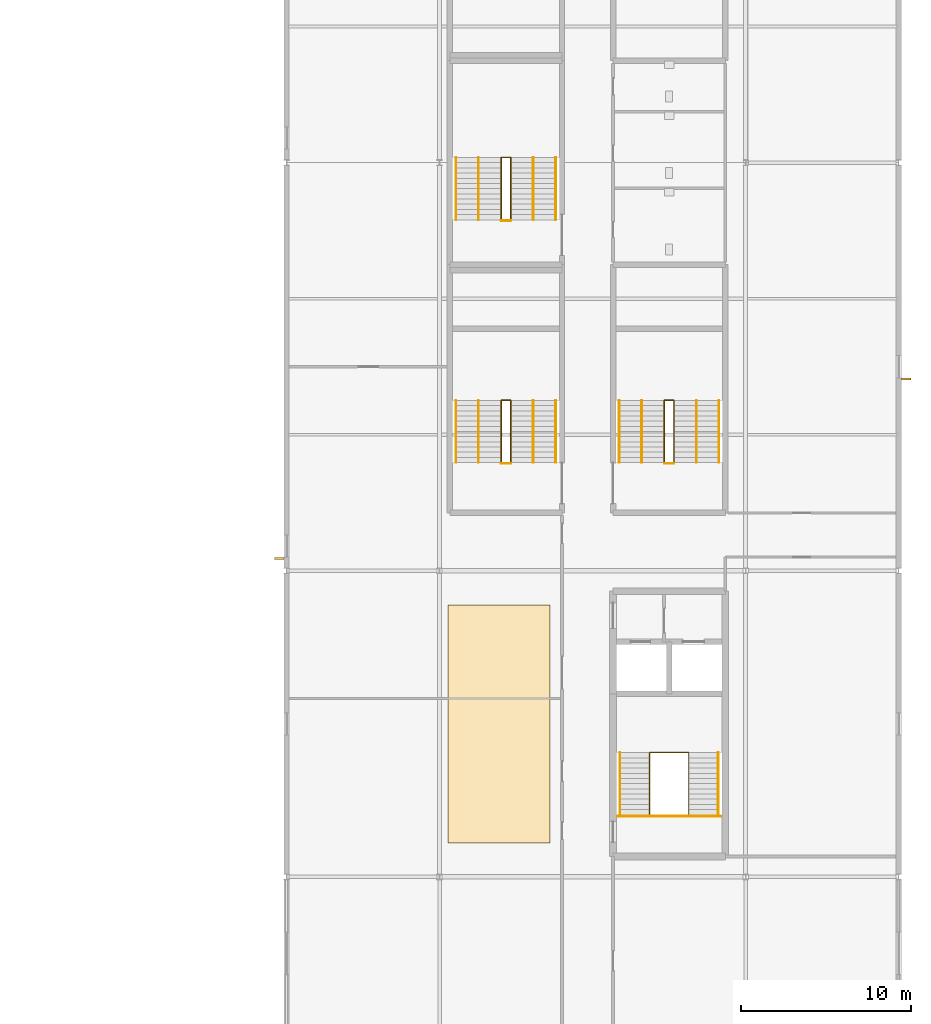
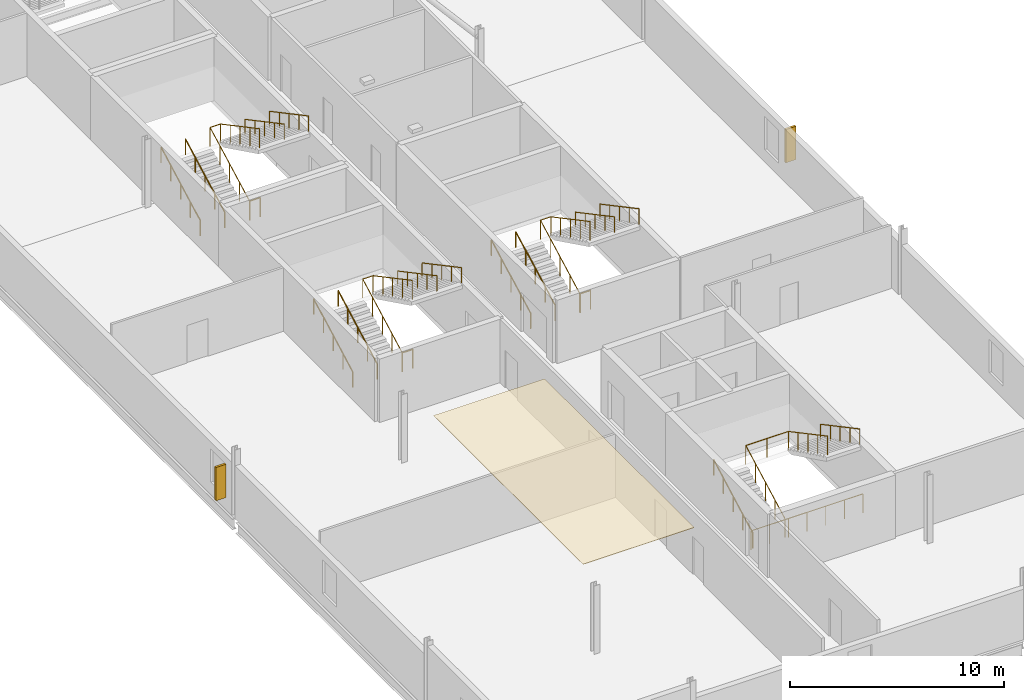
# One storey, part 29 of 31: 22 railings, 2 shading devices, 1 covering.
"""IFC4 building model written with IfcOpenShell, lengths in metres."""

from ifc_helpers import new_model, si_unit, direction, frame, origin, origin_2d, place, context, subcontext, project, spatial, polyline, rectangle, circle, outline, extrude, material, layer, layer_set, type_object, element, save


model = new_model("IFC4")

# Units and contexts
model_context = context("Model", 3, precision=1e-05, world=origin(), true_north=direction((0.0, 1.0)))
body_context = subcontext(model_context, "Body", "Model", "MODEL_VIEW")
ifc_project = project(units=[si_unit("LENGTHUNIT", "METRE"), si_unit("AREAUNIT", "SQUARE_METRE"), si_unit("VOLUMEUNIT", "CUBIC_METRE"), si_unit("PLANEANGLEUNIT", "RADIAN"), si_unit("MASSUNIT", "GRAM", prefix="KILO")], contexts=[model_context])

# Site, building, storey
site_placement = place(None, origin())
site = spatial("IfcSite", under=ifc_project, at=site_placement, CompositionType="ELEMENT")
building_placement = place(site_placement, origin())
building = spatial("IfcBuilding", under=site, at=building_placement, Name="Kisiwana Market Hall", CompositionType="ELEMENT")
storey_placement = place(building_placement, frame((0.0, 0.0, 45.60009765625)))
storey = spatial("IfcBuildingStorey", under=building, at=storey_placement, Name="L10", CompositionType="ELEMENT", Elevation=45.60009765625)

# Covering
ifc_material_1 = material(Name="Mineral-fibre acoustic ceiling board")
ifc_layer = layer(ifc_material_1, 0.02490234375)
ifc_layer_set = layer_set([ifc_layer], Name="COV-CEIL-AC")
covering_type = type_object("IfcCoveringType", Name="COV-CEIL-AC", PredefinedType="CEILING", material=ifc_layer_set)
covering_placement = place(storey_placement, frame((0.0, 0.0, 3.594970703125)))
element("IfcCovering", 1, at=covering_placement, inside=storey, type_object=covering_type, Name="Acoustic ceiling grid L10-026", PredefinedType="CEILING", context=body_context, shape_type="SweptSolid", body=[
    extrude(outline(polyline([(171.5, 20.0), (177.5, 20.0), (177.5, 34.0), (171.5, 34.0), (171.5, 20.0)])), origin(), (0.0, 0.0, 1.0), 0.02490234375),
])

# Railings
ifc_material_2 = material(Name="Steel S275", Category="steel")
railing_type_1 = type_object("IfcRailingType", Name="RL-GUARD-1100", PredefinedType="GUARDRAIL", material=ifc_material_2)
railing_1_placement = place(storey_placement, frame((183.35009765625, 21.6494140625, 0.0)))
element("IfcRailing", 2, at=railing_1_placement, inside=storey, type_object=railing_type_1, Name="Stair ST-E2-L10 inner-well guardrail (RL-1291)", PredefinedType="GUARDRAIL", context=body_context, shape_type="SweptSolid", body=[
    extrude(circle(Radius=0.02392578125, at=origin_2d()), frame((0.0, 0.0, 1.076171875), z_axis=(0.0, 0.882566327451, 0.470187917379), x_axis=(-1.0, 0.0, 0.0)), (0.0, 0.0, 1.0), 4.147216796875),
    extrude(circle(Radius=0.02392578125, at=origin_2d()), frame((0.0, 3.66015625, 3.02587890625), z_axis=(1.0, 0.0, 0.0), x_axis=(0.0, 1.0, 0.0)), (0.0, 0.0, 1.0), 2.2998046875),
    extrude(circle(Radius=0.02392578125, at=origin_2d()), frame((2.2998046875, 3.66015625, 3.02587890625), z_axis=(0.0, -0.882566327451, 0.470187917379), x_axis=(1.0, 0.0, 0.0)), (0.0, 0.0, 1.0), 4.147216796875),
    extrude(circle(Radius=0.02099609375, at=origin_2d()), origin(), (0.0, 0.0, 1.0), 1.052001953125),
    extrude(circle(Radius=0.02099609375, at=origin_2d()), frame((0.0, 0.9150390625, 0.487548828125)), (0.0, 0.0, 1.0), 1.052001953125),
    extrude(circle(Radius=0.02099609375, at=origin_2d()), frame((0.0, 1.830078125, 0.97509765625)), (0.0, 0.0, 1.0), 1.052001953125),
    extrude(circle(Radius=0.02099609375, at=origin_2d()), frame((0.0, 2.7451171875, 1.46240234375)), (0.0, 0.0, 1.0), 1.052001953125),
    extrude(circle(Radius=0.02099609375, at=origin_2d()), frame((0.0, 3.66015625, 1.949951171875)), (0.0, 0.0, 1.0), 1.052001953125),
    extrude(circle(Radius=0.02099609375, at=origin_2d()), frame((1.14990234375, 3.66015625, 1.949951171875)), (0.0, 0.0, 1.0), 1.052001953125),
    extrude(circle(Radius=0.02099609375, at=origin_2d()), frame((2.2998046875, 3.66015625, 1.949951171875)), (0.0, 0.0, 1.0), 1.052001953125),
    extrude(circle(Radius=0.02099609375, at=origin_2d()), frame((2.2998046875, 2.7451171875, 2.4375)), (0.0, 0.0, 1.0), 1.052001953125),
    extrude(circle(Radius=0.02099609375, at=origin_2d()), frame((2.2998046875, 1.830078125, 2.9248046875)), (0.0, 0.0, 1.0), 1.052001953125),
    extrude(circle(Radius=0.02099609375, at=origin_2d()), frame((2.2998046875, 0.9150390625, 3.412353515625)), (0.0, 0.0, 1.0), 1.052001953125),
    extrude(circle(Radius=0.02099609375, at=origin_2d()), frame((2.2998046875, 0.0, 3.89990234375)), (0.0, 0.0, 1.0), 1.052001953125),
])
railing_2_placement = place(storey_placement, frame((181.47998046875, 21.569580078125, 0.0)))
element("IfcRailing", 3, at=railing_2_placement, inside=storey, type_object=railing_type_1, Name="Stair ST-E2-L10 landing edge guardrail (RL-1294)", PredefinedType="GUARDRAIL", context=body_context, shape_type="SweptSolid", body=[
    extrude(circle(Radius=0.02392578125, at=origin_2d()), frame((0.0, 0.0, 1.076171875), z_axis=(1.0, 0.0, 0.0), x_axis=(0.0, 1.0, 0.0)), (0.0, 0.0, 1.0), 6.0400390625),
    extrude(circle(Radius=0.02099609375, at=origin_2d()), origin(), (0.0, 0.0, 1.0), 1.052001953125),
    extrude(circle(Radius=0.02099609375, at=origin_2d()), frame((1.006591796875, 0.0, 0.0)), (0.0, 0.0, 1.0), 1.052001953125),
    extrude(circle(Radius=0.02099609375, at=origin_2d()), frame((2.013427734375, 0.0, 0.0)), (0.0, 0.0, 1.0), 1.052001953125),
    extrude(circle(Radius=0.02099609375, at=origin_2d()), frame((3.02001953125, 0.0, 0.0)), (0.0, 0.0, 1.0), 1.052001953125),
    extrude(circle(Radius=0.02099609375, at=origin_2d()), frame((4.026611328125, 0.0, 0.0)), (0.0, 0.0, 1.0), 1.052001953125),
    extrude(circle(Radius=0.02099609375, at=origin_2d()), frame((5.033447265625, 0.0, 0.0)), (0.0, 0.0, 1.0), 1.052001953125),
    extrude(circle(Radius=0.02099609375, at=origin_2d()), frame((6.0400390625, 0.0, 0.0)), (0.0, 0.0, 1.0), 1.052001953125),
])
railing_3_placement = place(storey_placement, frame((184.219970703125, 42.360107421875, 0.0)))
element("IfcRailing", 4, at=railing_3_placement, inside=storey, type_object=railing_type_1, Name="Stair ST-E3-L10 inner-well guardrail (RL-1311)", PredefinedType="GUARDRAIL", context=body_context, shape_type="SweptSolid", body=[
    extrude(circle(Radius=0.02392578125, at=origin_2d()), frame((0.0, 0.0, 1.076171875), z_axis=(0.0, 0.88255331184, 0.47021234752), x_axis=(-1.0, 0.0, 0.0)), (0.0, 0.0, 1.0), 4.14697265625),
    extrude(circle(Radius=0.02392578125, at=origin_2d()), frame((0.0, 3.659912109375, 3.02587890625), z_axis=(1.0, 0.0, 0.0), x_axis=(0.0, 1.0, 0.0)), (0.0, 0.0, 1.0), 0.56005859375),
    extrude(circle(Radius=0.02392578125, at=origin_2d()), frame((0.56005859375, 3.659912109375, 3.02587890625), z_axis=(0.0, -0.88255331184, 0.47021234752), x_axis=(1.0, 0.0, 0.0)), (0.0, 0.0, 1.0), 4.14697265625),
    extrude(circle(Radius=0.02099609375, at=origin_2d()), origin(), (0.0, 0.0, 1.0), 1.052001953125),
    extrude(circle(Radius=0.02099609375, at=origin_2d()), frame((0.0, 0.9150390625, 0.487548828125)), (0.0, 0.0, 1.0), 1.052001953125),
    extrude(circle(Radius=0.02099609375, at=origin_2d()), frame((0.0, 1.830078125, 0.97509765625)), (0.0, 0.0, 1.0), 1.052001953125),
    extrude(circle(Radius=0.02099609375, at=origin_2d()), frame((0.0, 2.744873046875, 1.46240234375)), (0.0, 0.0, 1.0), 1.052001953125),
    extrude(circle(Radius=0.02099609375, at=origin_2d()), frame((0.0, 3.659912109375, 1.949951171875)), (0.0, 0.0, 1.0), 1.052001953125),
    extrude(circle(Radius=0.02099609375, at=origin_2d()), frame((0.56005859375, 3.659912109375, 1.949951171875)), (0.0, 0.0, 1.0), 1.052001953125),
    extrude(circle(Radius=0.02099609375, at=origin_2d()), frame((0.56005859375, 2.744873046875, 2.4375)), (0.0, 0.0, 1.0), 1.052001953125),
    extrude(circle(Radius=0.02099609375, at=origin_2d()), frame((0.56005859375, 1.830078125, 2.9248046875)), (0.0, 0.0, 1.0), 1.052001953125),
    extrude(circle(Radius=0.02099609375, at=origin_2d()), frame((0.56005859375, 0.9150390625, 3.412353515625)), (0.0, 0.0, 1.0), 1.052001953125),
    extrude(circle(Radius=0.02099609375, at=origin_2d()), frame((0.56005859375, 0.0, 3.89990234375)), (0.0, 0.0, 1.0), 1.052001953125),
])
railing_4_placement = place(storey_placement, frame((184.219970703125, 42.31005859375, 0.0)))
element("IfcRailing", 5, at=railing_4_placement, inside=storey, type_object=railing_type_1, Name="Stair ST-E3-L10 landing edge guardrail (RL-1316)", PredefinedType="GUARDRAIL", context=body_context, shape_type="SweptSolid", body=[
    extrude(circle(Radius=0.02392578125, at=origin_2d()), frame((0.0, 0.0, 1.076171875), z_axis=(1.0, 0.0, 0.0), x_axis=(0.0, 1.0, 0.0)), (0.0, 0.0, 1.0), 0.56005859375),
    extrude(circle(Radius=0.02099609375, at=origin_2d()), origin(), (0.0, 0.0, 1.0), 1.052001953125),
    extrude(circle(Radius=0.02099609375, at=origin_2d()), frame((0.56005859375, 0.0, 0.0)), (0.0, 0.0, 1.0), 1.052001953125),
])
railing_5_placement = place(storey_placement, frame((174.6201171875, 42.360107421875, 0.0)))
element("IfcRailing", 6, at=railing_5_placement, inside=storey, type_object=railing_type_1, Name="Stair ST-E7-L10 inner-well guardrail (RL-1329)", PredefinedType="GUARDRAIL", context=body_context, shape_type="SweptSolid", body=[
    extrude(circle(Radius=0.02392578125, at=origin_2d()), frame((0.0, 0.0, 1.076171875), z_axis=(0.0, 0.88255331184, 0.47021234752), x_axis=(-1.0, 0.0, 0.0)), (0.0, 0.0, 1.0), 4.14697265625),
    extrude(circle(Radius=0.02392578125, at=origin_2d()), frame((0.0, 3.659912109375, 3.02587890625), z_axis=(1.0, 0.0, 0.0), x_axis=(0.0, 1.0, 0.0)), (0.0, 0.0, 1.0), 0.559814453125),
    extrude(circle(Radius=0.02392578125, at=origin_2d()), frame((0.559814453125, 3.659912109375, 3.02587890625), z_axis=(0.0, -0.88255331184, 0.47021234752), x_axis=(1.0, 0.0, 0.0)), (0.0, 0.0, 1.0), 4.14697265625),
    extrude(circle(Radius=0.02099609375, at=origin_2d()), origin(), (0.0, 0.0, 1.0), 1.052001953125),
    extrude(circle(Radius=0.02099609375, at=origin_2d()), frame((0.0, 0.9150390625, 0.487548828125)), (0.0, 0.0, 1.0), 1.052001953125),
    extrude(circle(Radius=0.02099609375, at=origin_2d()), frame((0.0, 1.830078125, 0.97509765625)), (0.0, 0.0, 1.0), 1.052001953125),
    extrude(circle(Radius=0.02099609375, at=origin_2d()), frame((0.0, 2.744873046875, 1.46240234375)), (0.0, 0.0, 1.0), 1.052001953125),
    extrude(circle(Radius=0.02099609375, at=origin_2d()), frame((0.0, 3.659912109375, 1.949951171875)), (0.0, 0.0, 1.0), 1.052001953125),
    extrude(circle(Radius=0.02099609375, at=origin_2d()), frame((0.559814453125, 3.659912109375, 1.949951171875)), (0.0, 0.0, 1.0), 1.052001953125),
    extrude(circle(Radius=0.02099609375, at=origin_2d()), frame((0.559814453125, 2.744873046875, 2.4375)), (0.0, 0.0, 1.0), 1.052001953125),
    extrude(circle(Radius=0.02099609375, at=origin_2d()), frame((0.559814453125, 1.830078125, 2.9248046875)), (0.0, 0.0, 1.0), 1.052001953125),
    extrude(circle(Radius=0.02099609375, at=origin_2d()), frame((0.559814453125, 0.9150390625, 3.412353515625)), (0.0, 0.0, 1.0), 1.052001953125),
    extrude(circle(Radius=0.02099609375, at=origin_2d()), frame((0.559814453125, 0.0, 3.89990234375)), (0.0, 0.0, 1.0), 1.052001953125),
])
railing_6_placement = place(storey_placement, frame((174.6201171875, 42.31005859375, 0.0)))
element("IfcRailing", 7, at=railing_6_placement, inside=storey, type_object=railing_type_1, Name="Stair ST-E7-L10 landing edge guardrail (RL-1334)", PredefinedType="GUARDRAIL", context=body_context, shape_type="SweptSolid", body=[
    extrude(circle(Radius=0.02392578125, at=origin_2d()), frame((0.0, 0.0, 1.076171875), z_axis=(1.0, 0.0, 0.0), x_axis=(0.0, 1.0, 0.0)), (0.0, 0.0, 1.0), 0.559814453125),
    extrude(circle(Radius=0.02099609375, at=origin_2d()), origin(), (0.0, 0.0, 1.0), 1.052001953125),
    extrude(circle(Radius=0.02099609375, at=origin_2d()), frame((0.559814453125, 0.0, 0.0)), (0.0, 0.0, 1.0), 1.052001953125),
])
railing_7_placement = place(storey_placement, frame((174.6201171875, 56.639892578125, 0.0)))
element("IfcRailing", 8, at=railing_7_placement, inside=storey, type_object=railing_type_1, Name="Stair ST-E5-L10 inner-well guardrail (RL-1353)", PredefinedType="GUARDRAIL", context=body_context, shape_type="SweptSolid", body=[
    extrude(circle(Radius=0.02392578125, at=origin_2d()), frame((0.0, 0.0, 1.076171875), z_axis=(0.0, 0.882566327451, 0.470187917379), x_axis=(-1.0, 0.0, 0.0)), (0.0, 0.0, 1.0), 4.147216796875),
    extrude(circle(Radius=0.02392578125, at=origin_2d()), frame((0.0, 3.66015625, 3.02587890625), z_axis=(1.0, 0.0, 0.0), x_axis=(0.0, 1.0, 0.0)), (0.0, 0.0, 1.0), 0.559814453125),
    extrude(circle(Radius=0.02392578125, at=origin_2d()), frame((0.559814453125, 3.66015625, 3.02587890625), z_axis=(0.0, -0.882566327451, 0.470187917379), x_axis=(1.0, 0.0, 0.0)), (0.0, 0.0, 1.0), 4.147216796875),
    extrude(circle(Radius=0.02099609375, at=origin_2d()), origin(), (0.0, 0.0, 1.0), 1.052001953125),
    extrude(circle(Radius=0.02099609375, at=origin_2d()), frame((0.0, 0.9150390625, 0.487548828125)), (0.0, 0.0, 1.0), 1.052001953125),
    extrude(circle(Radius=0.02099609375, at=origin_2d()), frame((0.0, 1.830078125, 0.97509765625)), (0.0, 0.0, 1.0), 1.052001953125),
    extrude(circle(Radius=0.02099609375, at=origin_2d()), frame((0.0, 2.7451171875, 1.46240234375)), (0.0, 0.0, 1.0), 1.052001953125),
    extrude(circle(Radius=0.02099609375, at=origin_2d()), frame((0.0, 3.66015625, 1.949951171875)), (0.0, 0.0, 1.0), 1.052001953125),
    extrude(circle(Radius=0.02099609375, at=origin_2d()), frame((0.559814453125, 3.66015625, 1.949951171875)), (0.0, 0.0, 1.0), 1.052001953125),
    extrude(circle(Radius=0.02099609375, at=origin_2d()), frame((0.559814453125, 2.7451171875, 2.4375)), (0.0, 0.0, 1.0), 1.052001953125),
    extrude(circle(Radius=0.02099609375, at=origin_2d()), frame((0.559814453125, 1.830078125, 2.9248046875)), (0.0, 0.0, 1.0), 1.052001953125),
    extrude(circle(Radius=0.02099609375, at=origin_2d()), frame((0.559814453125, 0.9150390625, 3.412353515625)), (0.0, 0.0, 1.0), 1.052001953125),
    extrude(circle(Radius=0.02099609375, at=origin_2d()), frame((0.559814453125, 0.0, 3.89990234375)), (0.0, 0.0, 1.0), 1.052001953125),
])
railing_8_placement = place(storey_placement, frame((174.6201171875, 56.590087890625, 0.0)))
element("IfcRailing", 9, at=railing_8_placement, inside=storey, type_object=railing_type_1, Name="Stair ST-E5-L10 landing edge guardrail (RL-1358)", PredefinedType="GUARDRAIL", context=body_context, shape_type="SweptSolid", body=[
    extrude(circle(Radius=0.02392578125, at=origin_2d()), frame((0.0, 0.0, 1.076171875), z_axis=(1.0, 0.0, 0.0), x_axis=(0.0, 1.0, 0.0)), (0.0, 0.0, 1.0), 0.559814453125),
    extrude(circle(Radius=0.02099609375, at=origin_2d()), origin(), (0.0, 0.0, 1.0), 1.052001953125),
    extrude(circle(Radius=0.02099609375, at=origin_2d()), frame((0.559814453125, 0.0, 0.0)), (0.0, 0.0, 1.0), 1.052001953125),
])
ifc_material_3 = material(Name="Steel S275", Category="steel")
railing_type_2 = type_object("IfcRailingType", Name="RL-HAND-900", PredefinedType="HANDRAIL", material=ifc_material_3)
railing_9_placement = place(storey_placement, frame((181.610107421875, 21.6494140625, 0.0)))
element("IfcRailing", 10, at=railing_9_placement, inside=storey, type_object=railing_type_2, Name="Stair ST-E2-L10 flight 1 handrail (RL-1292)", PredefinedType="HANDRAIL", context=body_context, shape_type="SweptSolid", body=[
    extrude(circle(Radius=0.02392578125, at=origin_2d()), frame((0.0, 0.0, 0.8759765625), z_axis=(0.0, 0.882566327451, 0.470187917379), x_axis=(-1.0, 0.0, 0.0)), (0.0, 0.0, 1.0), 4.147216796875),
    extrude(circle(Radius=0.02099609375, at=origin_2d()), origin(), (0.0, 0.0, 1.0), 0.851806640625),
    extrude(circle(Radius=0.02099609375, at=origin_2d()), frame((0.0, 0.9150390625, 0.487548828125)), (0.0, 0.0, 1.0), 0.851806640625),
    extrude(circle(Radius=0.02099609375, at=origin_2d()), frame((0.0, 1.830078125, 0.97509765625)), (0.0, 0.0, 1.0), 0.851806640625),
    extrude(circle(Radius=0.02099609375, at=origin_2d()), frame((0.0, 2.7451171875, 1.46240234375)), (0.0, 0.0, 1.0), 0.851806640625),
    extrude(circle(Radius=0.02099609375, at=origin_2d()), frame((0.0, 3.66015625, 1.949951171875)), (0.0, 0.0, 1.0), 0.851806640625),
])
railing_10_placement = place(storey_placement, frame((187.389892578125, 25.3095703125, 1.949951171875)))
element("IfcRailing", 11, at=railing_10_placement, inside=storey, type_object=railing_type_2, Name="Stair ST-E2-L10 flight 2 handrail (RL-1293)", PredefinedType="HANDRAIL", context=body_context, shape_type="SweptSolid", body=[
    extrude(circle(Radius=0.02392578125, at=origin_2d()), frame((0.0, 0.0, 0.8759765625), z_axis=(0.0, -0.882566327451, 0.470187917379), x_axis=(1.0, 0.0, 0.0)), (0.0, 0.0, 1.0), 4.147216796875),
    extrude(circle(Radius=0.02099609375, at=origin_2d()), origin(), (0.0, 0.0, 1.0), 0.851806640625),
    extrude(circle(Radius=0.02099609375, at=origin_2d()), frame((0.0, -0.9150390625, 0.487548828125)), (0.0, 0.0, 1.0), 0.851806640625),
    extrude(circle(Radius=0.02099609375, at=origin_2d()), frame((0.0, -1.830078125, 0.97509765625)), (0.0, 0.0, 1.0), 0.851806640625),
    extrude(circle(Radius=0.02099609375, at=origin_2d()), frame((0.0, -2.7451171875, 1.46240234375)), (0.0, 0.0, 1.0), 0.851806640625),
    extrude(circle(Radius=0.02099609375, at=origin_2d()), frame((0.0, -3.66015625, 1.949951171875)), (0.0, 0.0, 1.0), 0.851806640625),
])
railing_11_placement = place(storey_placement, frame((181.570068359375, 42.360107421875, 0.0)))
element("IfcRailing", 12, at=railing_11_placement, inside=storey, type_object=railing_type_2, Name="Stair ST-E3-L10 flight 1 handrail (RL-1312)", PredefinedType="HANDRAIL", context=body_context, shape_type="SweptSolid", body=[
    extrude(circle(Radius=0.02392578125, at=origin_2d()), frame((0.0, 0.0, 0.8759765625), z_axis=(0.0, 0.88255331184, 0.47021234752), x_axis=(-1.0, 0.0, 0.0)), (0.0, 0.0, 1.0), 4.14697265625),
    extrude(circle(Radius=0.02099609375, at=origin_2d()), origin(), (0.0, 0.0, 1.0), 0.851806640625),
    extrude(circle(Radius=0.02099609375, at=origin_2d()), frame((0.0, 0.9150390625, 0.487548828125)), (0.0, 0.0, 1.0), 0.851806640625),
    extrude(circle(Radius=0.02099609375, at=origin_2d()), frame((0.0, 1.830078125, 0.97509765625)), (0.0, 0.0, 1.0), 0.851806640625),
    extrude(circle(Radius=0.02099609375, at=origin_2d()), frame((0.0, 2.744873046875, 1.46240234375)), (0.0, 0.0, 1.0), 0.851806640625),
    extrude(circle(Radius=0.02099609375, at=origin_2d()), frame((0.0, 3.659912109375, 1.949951171875)), (0.0, 0.0, 1.0), 0.851806640625),
])
railing_12_placement = place(storey_placement, frame((187.429931640625, 46.02001953125, 1.949951171875)))
element("IfcRailing", 13, at=railing_12_placement, inside=storey, type_object=railing_type_2, Name="Stair ST-E3-L10 flight 2 handrail (RL-1313)", PredefinedType="HANDRAIL", context=body_context, shape_type="SweptSolid", body=[
    extrude(circle(Radius=0.02392578125, at=origin_2d()), frame((0.0, 0.0, 0.8759765625), z_axis=(0.0, -0.88255331184, 0.47021234752), x_axis=(1.0, 0.0, 0.0)), (0.0, 0.0, 1.0), 4.14697265625),
    extrude(circle(Radius=0.02099609375, at=origin_2d()), origin(), (0.0, 0.0, 1.0), 0.851806640625),
    extrude(circle(Radius=0.02099609375, at=origin_2d()), frame((0.0, -0.9150390625, 0.487548828125)), (0.0, 0.0, 1.0), 0.851806640625),
    extrude(circle(Radius=0.02099609375, at=origin_2d()), frame((0.0, -1.830078125, 0.97509765625)), (0.0, 0.0, 1.0), 0.851806640625),
    extrude(circle(Radius=0.02099609375, at=origin_2d()), frame((0.0, -2.744873046875, 1.46240234375)), (0.0, 0.0, 1.0), 0.851806640625),
    extrude(circle(Radius=0.02099609375, at=origin_2d()), frame((0.0, -3.659912109375, 1.949951171875)), (0.0, 0.0, 1.0), 0.851806640625),
])
railing_13_placement = place(storey_placement, frame((182.889892578125, 42.360107421875, 0.0)))
element("IfcRailing", 14, at=railing_13_placement, inside=storey, type_object=railing_type_2, Name="Stair ST-E3-L10 flight 1 intermediate handrail (RL-1314)", PredefinedType="HANDRAIL", context=body_context, shape_type="SweptSolid", body=[
    extrude(circle(Radius=0.02392578125, at=origin_2d()), frame((0.0, 0.0, 0.8759765625), z_axis=(0.0, 0.88255331184, 0.47021234752), x_axis=(-1.0, 0.0, 0.0)), (0.0, 0.0, 1.0), 4.14697265625),
    extrude(circle(Radius=0.02099609375, at=origin_2d()), origin(), (0.0, 0.0, 1.0), 0.851806640625),
    extrude(circle(Radius=0.02099609375, at=origin_2d()), frame((0.0, 0.9150390625, 0.487548828125)), (0.0, 0.0, 1.0), 0.851806640625),
    extrude(circle(Radius=0.02099609375, at=origin_2d()), frame((0.0, 1.830078125, 0.97509765625)), (0.0, 0.0, 1.0), 0.851806640625),
    extrude(circle(Radius=0.02099609375, at=origin_2d()), frame((0.0, 2.744873046875, 1.46240234375)), (0.0, 0.0, 1.0), 0.851806640625),
    extrude(circle(Radius=0.02099609375, at=origin_2d()), frame((0.0, 3.659912109375, 1.949951171875)), (0.0, 0.0, 1.0), 0.851806640625),
])
railing_14_placement = place(storey_placement, frame((186.110107421875, 46.02001953125, 1.949951171875)))
element("IfcRailing", 15, at=railing_14_placement, inside=storey, type_object=railing_type_2, Name="Stair ST-E3-L10 flight 2 intermediate handrail (RL-1315)", PredefinedType="HANDRAIL", context=body_context, shape_type="SweptSolid", body=[
    extrude(circle(Radius=0.02392578125, at=origin_2d()), frame((0.0, 0.0, 0.8759765625), z_axis=(0.0, -0.88255331184, 0.47021234752), x_axis=(1.0, 0.0, 0.0)), (0.0, 0.0, 1.0), 4.14697265625),
    extrude(circle(Radius=0.02099609375, at=origin_2d()), origin(), (0.0, 0.0, 1.0), 0.851806640625),
    extrude(circle(Radius=0.02099609375, at=origin_2d()), frame((0.0, -0.9150390625, 0.487548828125)), (0.0, 0.0, 1.0), 0.851806640625),
    extrude(circle(Radius=0.02099609375, at=origin_2d()), frame((0.0, -1.830078125, 0.97509765625)), (0.0, 0.0, 1.0), 0.851806640625),
    extrude(circle(Radius=0.02099609375, at=origin_2d()), frame((0.0, -2.744873046875, 1.46240234375)), (0.0, 0.0, 1.0), 0.851806640625),
    extrude(circle(Radius=0.02099609375, at=origin_2d()), frame((0.0, -3.659912109375, 1.949951171875)), (0.0, 0.0, 1.0), 0.851806640625),
])
railing_15_placement = place(storey_placement, frame((171.969970703125, 42.360107421875, 0.0)))
element("IfcRailing", 16, at=railing_15_placement, inside=storey, type_object=railing_type_2, Name="Stair ST-E7-L10 flight 1 handrail (RL-1330)", PredefinedType="HANDRAIL", context=body_context, shape_type="SweptSolid", body=[
    extrude(circle(Radius=0.02392578125, at=origin_2d()), frame((0.0, 0.0, 0.8759765625), z_axis=(0.0, 0.88255331184, 0.47021234752), x_axis=(-1.0, 0.0, 0.0)), (0.0, 0.0, 1.0), 4.14697265625),
    extrude(circle(Radius=0.02099609375, at=origin_2d()), origin(), (0.0, 0.0, 1.0), 0.851806640625),
    extrude(circle(Radius=0.02099609375, at=origin_2d()), frame((0.0, 0.9150390625, 0.487548828125)), (0.0, 0.0, 1.0), 0.851806640625),
    extrude(circle(Radius=0.02099609375, at=origin_2d()), frame((0.0, 1.830078125, 0.97509765625)), (0.0, 0.0, 1.0), 0.851806640625),
    extrude(circle(Radius=0.02099609375, at=origin_2d()), frame((0.0, 2.744873046875, 1.46240234375)), (0.0, 0.0, 1.0), 0.851806640625),
    extrude(circle(Radius=0.02099609375, at=origin_2d()), frame((0.0, 3.659912109375, 1.949951171875)), (0.0, 0.0, 1.0), 0.851806640625),
])
railing_16_placement = place(storey_placement, frame((177.830078125, 46.02001953125, 1.949951171875)))
element("IfcRailing", 17, at=railing_16_placement, inside=storey, type_object=railing_type_2, Name="Stair ST-E7-L10 flight 2 handrail (RL-1331)", PredefinedType="HANDRAIL", context=body_context, shape_type="SweptSolid", body=[
    extrude(circle(Radius=0.02392578125, at=origin_2d()), frame((0.0, 0.0, 0.8759765625), z_axis=(0.0, -0.88255331184, 0.47021234752), x_axis=(1.0, 0.0, 0.0)), (0.0, 0.0, 1.0), 4.14697265625),
    extrude(circle(Radius=0.02099609375, at=origin_2d()), origin(), (0.0, 0.0, 1.0), 0.851806640625),
    extrude(circle(Radius=0.02099609375, at=origin_2d()), frame((0.0, -0.9150390625, 0.487548828125)), (0.0, 0.0, 1.0), 0.851806640625),
    extrude(circle(Radius=0.02099609375, at=origin_2d()), frame((0.0, -1.830078125, 0.97509765625)), (0.0, 0.0, 1.0), 0.851806640625),
    extrude(circle(Radius=0.02099609375, at=origin_2d()), frame((0.0, -2.744873046875, 1.46240234375)), (0.0, 0.0, 1.0), 0.851806640625),
    extrude(circle(Radius=0.02099609375, at=origin_2d()), frame((0.0, -3.659912109375, 1.949951171875)), (0.0, 0.0, 1.0), 0.851806640625),
])
railing_17_placement = place(storey_placement, frame((173.2900390625, 42.360107421875, 0.0)))
element("IfcRailing", 18, at=railing_17_placement, inside=storey, type_object=railing_type_2, Name="Stair ST-E7-L10 flight 1 intermediate handrail (RL-1332)", PredefinedType="HANDRAIL", context=body_context, shape_type="SweptSolid", body=[
    extrude(circle(Radius=0.02392578125, at=origin_2d()), frame((0.0, 0.0, 0.8759765625), z_axis=(0.0, 0.88255331184, 0.47021234752), x_axis=(-1.0, 0.0, 0.0)), (0.0, 0.0, 1.0), 4.14697265625),
    extrude(circle(Radius=0.02099609375, at=origin_2d()), origin(), (0.0, 0.0, 1.0), 0.851806640625),
    extrude(circle(Radius=0.02099609375, at=origin_2d()), frame((0.0, 0.9150390625, 0.487548828125)), (0.0, 0.0, 1.0), 0.851806640625),
    extrude(circle(Radius=0.02099609375, at=origin_2d()), frame((0.0, 1.830078125, 0.97509765625)), (0.0, 0.0, 1.0), 0.851806640625),
    extrude(circle(Radius=0.02099609375, at=origin_2d()), frame((0.0, 2.744873046875, 1.46240234375)), (0.0, 0.0, 1.0), 0.851806640625),
    extrude(circle(Radius=0.02099609375, at=origin_2d()), frame((0.0, 3.659912109375, 1.949951171875)), (0.0, 0.0, 1.0), 0.851806640625),
])
railing_18_placement = place(storey_placement, frame((176.510009765625, 46.02001953125, 1.949951171875)))
element("IfcRailing", 19, at=railing_18_placement, inside=storey, type_object=railing_type_2, Name="Stair ST-E7-L10 flight 2 intermediate handrail (RL-1333)", PredefinedType="HANDRAIL", context=body_context, shape_type="SweptSolid", body=[
    extrude(circle(Radius=0.02392578125, at=origin_2d()), frame((0.0, 0.0, 0.8759765625), z_axis=(0.0, -0.88255331184, 0.47021234752), x_axis=(1.0, 0.0, 0.0)), (0.0, 0.0, 1.0), 4.14697265625),
    extrude(circle(Radius=0.02099609375, at=origin_2d()), origin(), (0.0, 0.0, 1.0), 0.851806640625),
    extrude(circle(Radius=0.02099609375, at=origin_2d()), frame((0.0, -0.9150390625, 0.487548828125)), (0.0, 0.0, 1.0), 0.851806640625),
    extrude(circle(Radius=0.02099609375, at=origin_2d()), frame((0.0, -1.830078125, 0.97509765625)), (0.0, 0.0, 1.0), 0.851806640625),
    extrude(circle(Radius=0.02099609375, at=origin_2d()), frame((0.0, -2.744873046875, 1.46240234375)), (0.0, 0.0, 1.0), 0.851806640625),
    extrude(circle(Radius=0.02099609375, at=origin_2d()), frame((0.0, -3.659912109375, 1.949951171875)), (0.0, 0.0, 1.0), 0.851806640625),
])
railing_19_placement = place(storey_placement, frame((171.969970703125, 56.639892578125, 0.0)))
element("IfcRailing", 20, at=railing_19_placement, inside=storey, type_object=railing_type_2, Name="Stair ST-E5-L10 flight 1 handrail (RL-1354)", PredefinedType="HANDRAIL", context=body_context, shape_type="SweptSolid", body=[
    extrude(circle(Radius=0.02392578125, at=origin_2d()), frame((0.0, 0.0, 0.8759765625), z_axis=(0.0, 0.882566327451, 0.470187917379), x_axis=(-1.0, 0.0, 0.0)), (0.0, 0.0, 1.0), 4.147216796875),
    extrude(circle(Radius=0.02099609375, at=origin_2d()), origin(), (0.0, 0.0, 1.0), 0.851806640625),
    extrude(circle(Radius=0.02099609375, at=origin_2d()), frame((0.0, 0.9150390625, 0.487548828125)), (0.0, 0.0, 1.0), 0.851806640625),
    extrude(circle(Radius=0.02099609375, at=origin_2d()), frame((0.0, 1.830078125, 0.97509765625)), (0.0, 0.0, 1.0), 0.851806640625),
    extrude(circle(Radius=0.02099609375, at=origin_2d()), frame((0.0, 2.7451171875, 1.46240234375)), (0.0, 0.0, 1.0), 0.851806640625),
    extrude(circle(Radius=0.02099609375, at=origin_2d()), frame((0.0, 3.66015625, 1.949951171875)), (0.0, 0.0, 1.0), 0.851806640625),
])
railing_20_placement = place(storey_placement, frame((177.830078125, 60.300048828125, 1.949951171875)))
element("IfcRailing", 21, at=railing_20_placement, inside=storey, type_object=railing_type_2, Name="Stair ST-E5-L10 flight 2 handrail (RL-1355)", PredefinedType="HANDRAIL", context=body_context, shape_type="SweptSolid", body=[
    extrude(circle(Radius=0.02392578125, at=origin_2d()), frame((0.0, 0.0, 0.8759765625), z_axis=(0.0, -0.882566327451, 0.470187917379), x_axis=(1.0, 0.0, 0.0)), (0.0, 0.0, 1.0), 4.147216796875),
    extrude(circle(Radius=0.02099609375, at=origin_2d()), origin(), (0.0, 0.0, 1.0), 0.851806640625),
    extrude(circle(Radius=0.02099609375, at=origin_2d()), frame((0.0, -0.9150390625, 0.487548828125)), (0.0, 0.0, 1.0), 0.851806640625),
    extrude(circle(Radius=0.02099609375, at=origin_2d()), frame((0.0, -1.830078125, 0.97509765625)), (0.0, 0.0, 1.0), 0.851806640625),
    extrude(circle(Radius=0.02099609375, at=origin_2d()), frame((0.0, -2.7451171875, 1.46240234375)), (0.0, 0.0, 1.0), 0.851806640625),
    extrude(circle(Radius=0.02099609375, at=origin_2d()), frame((0.0, -3.66015625, 1.949951171875)), (0.0, 0.0, 1.0), 0.851806640625),
])
railing_21_placement = place(storey_placement, frame((173.2900390625, 56.639892578125, 0.0)))
element("IfcRailing", 22, at=railing_21_placement, inside=storey, type_object=railing_type_2, Name="Stair ST-E5-L10 flight 1 intermediate handrail (RL-1356)", PredefinedType="HANDRAIL", context=body_context, shape_type="SweptSolid", body=[
    extrude(circle(Radius=0.02392578125, at=origin_2d()), frame((0.0, 0.0, 0.8759765625), z_axis=(0.0, 0.882566327451, 0.470187917379), x_axis=(-1.0, 0.0, 0.0)), (0.0, 0.0, 1.0), 4.147216796875),
    extrude(circle(Radius=0.02099609375, at=origin_2d()), origin(), (0.0, 0.0, 1.0), 0.851806640625),
    extrude(circle(Radius=0.02099609375, at=origin_2d()), frame((0.0, 0.9150390625, 0.487548828125)), (0.0, 0.0, 1.0), 0.851806640625),
    extrude(circle(Radius=0.02099609375, at=origin_2d()), frame((0.0, 1.830078125, 0.97509765625)), (0.0, 0.0, 1.0), 0.851806640625),
    extrude(circle(Radius=0.02099609375, at=origin_2d()), frame((0.0, 2.7451171875, 1.46240234375)), (0.0, 0.0, 1.0), 0.851806640625),
    extrude(circle(Radius=0.02099609375, at=origin_2d()), frame((0.0, 3.66015625, 1.949951171875)), (0.0, 0.0, 1.0), 0.851806640625),
])
railing_22_placement = place(storey_placement, frame((176.510009765625, 60.300048828125, 1.949951171875)))
element("IfcRailing", 23, at=railing_22_placement, inside=storey, type_object=railing_type_2, Name="Stair ST-E5-L10 flight 2 intermediate handrail (RL-1357)", PredefinedType="HANDRAIL", context=body_context, shape_type="SweptSolid", body=[
    extrude(circle(Radius=0.02392578125, at=origin_2d()), frame((0.0, 0.0, 0.8759765625), z_axis=(0.0, -0.882566327451, 0.470187917379), x_axis=(1.0, 0.0, 0.0)), (0.0, 0.0, 1.0), 4.147216796875),
    extrude(circle(Radius=0.02099609375, at=origin_2d()), origin(), (0.0, 0.0, 1.0), 0.851806640625),
    extrude(circle(Radius=0.02099609375, at=origin_2d()), frame((0.0, -0.9150390625, 0.487548828125)), (0.0, 0.0, 1.0), 0.851806640625),
    extrude(circle(Radius=0.02099609375, at=origin_2d()), frame((0.0, -1.830078125, 0.97509765625)), (0.0, 0.0, 1.0), 0.851806640625),
    extrude(circle(Radius=0.02099609375, at=origin_2d()), frame((0.0, -2.7451171875, 1.46240234375)), (0.0, 0.0, 1.0), 0.851806640625),
    extrude(circle(Radius=0.02099609375, at=origin_2d()), frame((0.0, -3.66015625, 1.949951171875)), (0.0, 0.0, 1.0), 0.851806640625),
])

# Shading devices
ifc_material_4 = material(Name="Aluminium alloy 6063-T6", Category="aluminium")
shading_device_type = type_object("IfcShadingDeviceType", Name="SHD-SHUTTER-V", PredefinedType="SHUTTER", material=ifc_material_4)
for number, where, z_axis, x_axis, name in (
    (24, (161.5673828125, 36.729736328125, 0.699951171875), (0.0, 0.0, 1.0), (0.0, 1.0, 0.0), "Vertical solar fin SHD-201 SD-200"),
    (25, (198.4326171875, 47.27001953125, 0.699951171875), (0.0, 0.0, 1.0), (0.0, 1.0, 0.0), "Vertical solar fin SHD-203 SD-202"),
):
    element("IfcShadingDevice", number, at=place(storey_placement, frame(where, z_axis=z_axis, x_axis=x_axis)), inside=storey, type_object=shading_device_type, Name=name, PredefinedType="SHUTTER", context=body_context, shape_type="SweptSolid", body=[
        extrude(rectangle(XDim=0.1201171875, YDim=0.550048828125, at=origin_2d()), origin(), (0.0, 0.0, 1.0), 1.89990234375),
    ])

save(model, "model.ifc")
